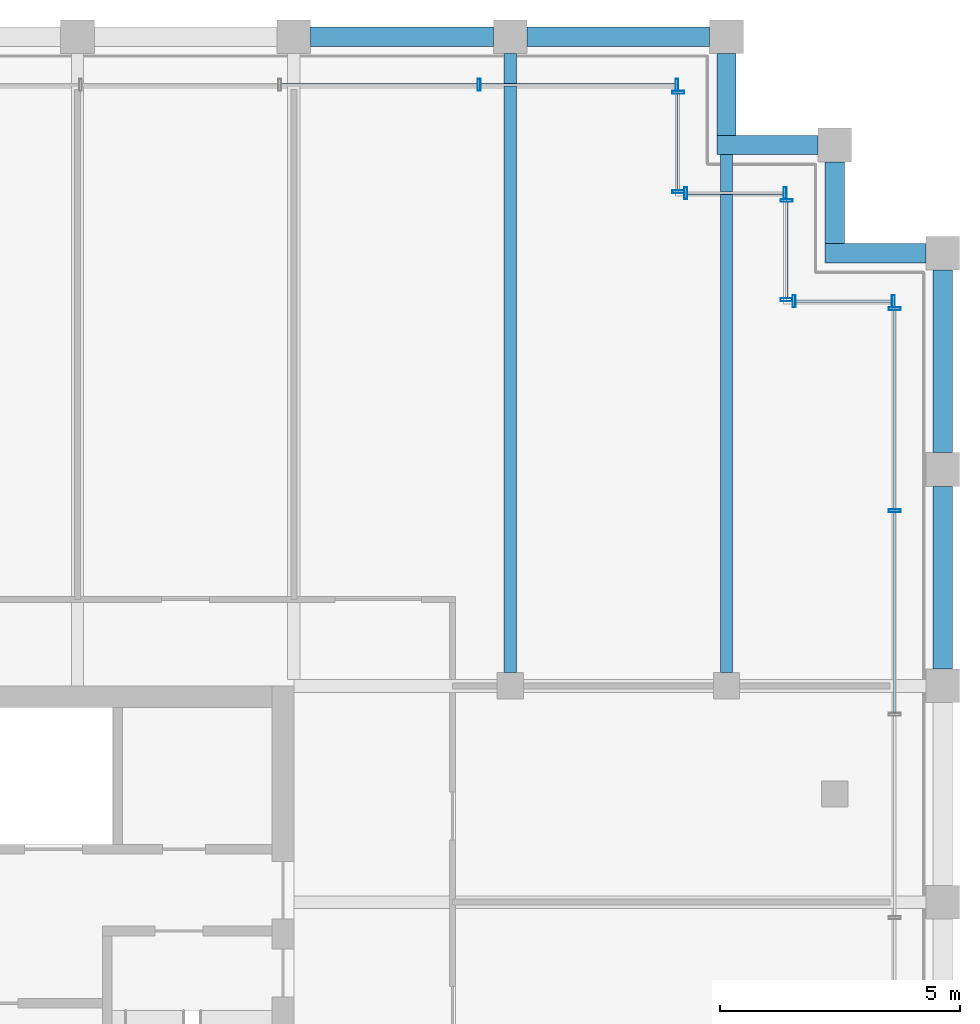
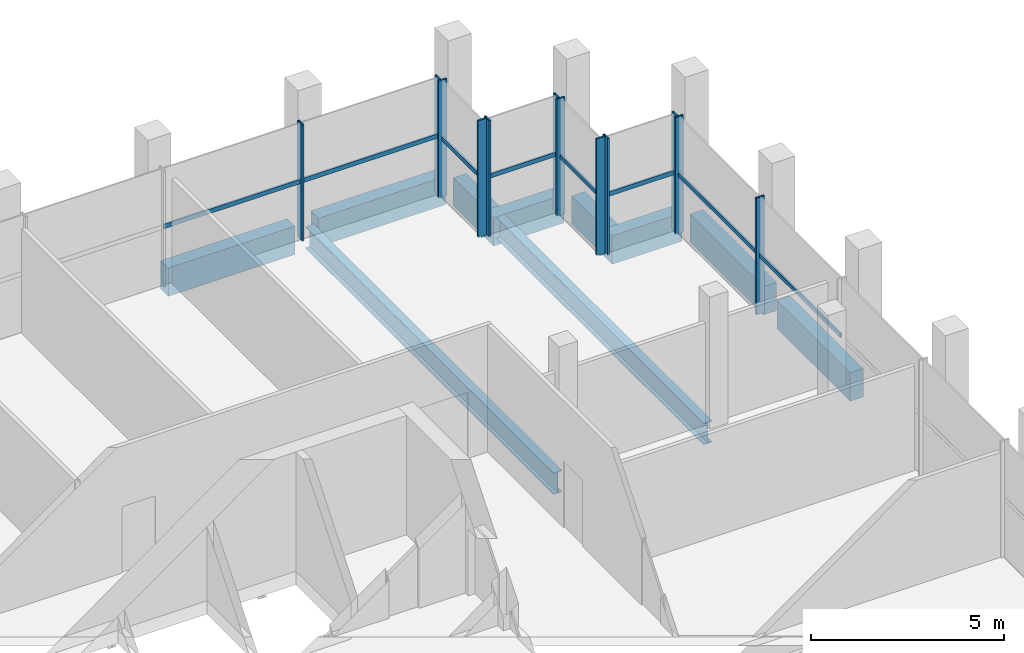
# One storey, part 12 of 17: 20 members, 10 beams, 6 elements without a shape of their own.
"""IFC4 building model written with IfcOpenShell, lengths in metres."""

import ifcopenshell
import ifcopenshell.guid

model = None  # the IFC model being written
_history = None  # IfcOwnerHistory: only IFC2X3 demands one
_inside = {}  # id of a spatial element -> (the spatial element, [elements in it])
_under = {}  # id of a project, library or spatial element -> (it, [spatial elements below it])
_declared = {}  # id of a project -> (the project, [libraries it declares])
_typed = {}  # id of a type object -> (the type object, [elements of that type])
_made_of = {}  # id of a material, layer set ... -> (it, [elements and type objects made of it])


def new_model(schema):
    """Start an empty IFC model of exactly this schema.

    Asked for "IFC4X3", IfcOpenShell would pick the latest addendum, in which some entities
    have other attributes; the version numbers below select the first issue.
    IFC2X3 requires an IfcOwnerHistory on every rooted entity: one is made here for all.
    """
    global model, _history
    if schema == "IFC4X3":
        model = ifcopenshell.file(schema_version=(4, 3, 0, 0))
    else:
        model = ifcopenshell.file(schema=schema)
    _inside.clear()
    _under.clear()
    _declared.clear()
    _typed.clear()
    _made_of.clear()
    _history = None
    if model.schema == "IFC2X3":
        org = make("IfcOrganization", Name="unknown")
        user = make(
            "IfcPersonAndOrganization",
            ThePerson=make("IfcPerson", FamilyName="unknown"),
            TheOrganization=org,
        )
        app = make(
            "IfcApplication",
            ApplicationDeveloper=org,
            Version="unknown",
            ApplicationFullName="unknown",
            ApplicationIdentifier="unknown",
        )
        _history = make(
            "IfcOwnerHistory",
            OwningUser=user,
            OwningApplication=app,
            ChangeAction="ADDED",
            CreationDate=0,
        )
    return model


def make(cls, **values):
    """One entity of the class cls with the attributes given. An attribute that is None is left unset."""
    return model.create_entity(
        cls, **{name: value for name, value in values.items() if value is not None}
    )


def rooted(cls, **values):
    """An entity with a GlobalId (a new one), such as an element, a storey or a relation."""
    return make(cls, GlobalId=ifcopenshell.guid.new(), OwnerHistory=_history, **values)


def si_unit(unit_type, name, prefix=None):
    """IfcSIUnit, for example si_unit("LENGTHUNIT", "METRE", prefix="MILLI")."""
    return make("IfcSIUnit", UnitType=unit_type, Prefix=prefix, Name=name)


def assignment(units):
    """IfcUnitAssignment: the units of a project."""
    return None if units is None else make("IfcUnitAssignment", Units=units)


def point(xyz):
    """IfcCartesianPoint."""
    return None if xyz is None else make("IfcCartesianPoint", Coordinates=xyz)


def direction(xyz):
    """IfcDirection."""
    return None if xyz is None else make("IfcDirection", DirectionRatios=xyz)


def frame(location, z_axis=None, x_axis=None):
    """IfcAxis2Placement3D, a coordinate frame: its origin and axes. An axis left out is left unset."""
    return make(
        "IfcAxis2Placement3D",
        Location=point(location),
        Axis=direction(z_axis),
        RefDirection=direction(x_axis),
    )


def frame_2d(location, x_axis=None):
    """IfcAxis2Placement2D, a coordinate frame in the plane: its origin and x axis."""
    return make(
        "IfcAxis2Placement2D", Location=point(location), RefDirection=direction(x_axis)
    )


def origin():
    """The frame at (0, 0, 0) with its axes left unset."""
    return frame((0.0, 0.0, 0.0))


def origin_2d():
    """The frame at (0, 0) in the plane with its x axis left unset."""
    return frame_2d((0.0, 0.0))


def place(relative_to, where):
    """IfcLocalPlacement: puts the frame where relative to a parent placement (None: the world)."""
    return make(
        "IfcLocalPlacement", PlacementRelTo=relative_to, RelativePlacement=where
    )


def context(
    kind, dimensions, precision=None, world=None, true_north=None, identifier=None
):
    """IfcGeometricRepresentationContext, for example the 3D "Model" context."""
    return make(
        "IfcGeometricRepresentationContext",
        ContextIdentifier=identifier,
        ContextType=kind,
        CoordinateSpaceDimension=dimensions,
        Precision=precision,
        WorldCoordinateSystem=world,
        TrueNorth=true_north,
    )


def subcontext(parent, identifier, kind, view, scale=None):
    """IfcGeometricRepresentationSubContext, for example "Body" below "Model"."""
    return make(
        "IfcGeometricRepresentationSubContext",
        ContextIdentifier=identifier,
        ContextType=kind,
        ParentContext=parent,
        TargetScale=scale,
        TargetView=view,
    )


def project(units=None, contexts=None):
    """IfcProject with its units and contexts."""
    return rooted(
        "IfcProject",
        Name="project",
        RepresentationContexts=contexts,
        UnitsInContext=assignment(units),
    )


def spatial(cls, under=None, at=None, **own):
    """A site, building, storey or space (cls), placed at a placement, below another one or the project."""
    s = rooted(cls, ObjectPlacement=at, **own)
    if under is not None:
        _under.setdefault(under.id(), (under, []))[1].append(s)
    return s


def profile(cls, at=None, kind="AREA", **sizes):
    """A parametric profile (cls). Its sizes go by their IFC names, for example OverallWidth=200.0."""
    return make(cls, ProfileType=kind, Position=at, **sizes)


def rectangle(**sizes):
    """IfcRectangleProfileDef."""
    return profile("IfcRectangleProfileDef", **sizes)


def hollow_rectangle(**sizes):
    """IfcRectangleHollowProfileDef."""
    return profile("IfcRectangleHollowProfileDef", **sizes)


def i_section(**sizes):
    """IfcIShapeProfileDef."""
    return profile("IfcIShapeProfileDef", **sizes)


def extrude(swept, where, along, depth):
    """IfcExtrudedAreaSolid: the profile swept, set in the frame where, extruded along a direction by depth."""
    return make(
        "IfcExtrudedAreaSolid",
        SweptArea=swept,
        Position=where,
        ExtrudedDirection=direction(along),
        Depth=depth,
    )


def shape(context_of_items, identifier, shape_type, items):
    """IfcShapeRepresentation: the items that make up one representation, for example the "Body"."""
    return make(
        "IfcShapeRepresentation",
        ContextOfItems=context_of_items,
        RepresentationIdentifier=identifier,
        RepresentationType=shape_type,
        Items=items,
    )


def material(Name=None, Category=None):
    """IfcMaterial."""
    return make("IfcMaterial", Name=Name, Category=Category)


def material_profile(
    of_material, cross_section, Name=None, Category=None, Priority=None
):
    """IfcMaterialProfile: a cross section and its material."""
    return make(
        "IfcMaterialProfile",
        Name=Name,
        Material=of_material,
        Profile=cross_section,
        Priority=Priority,
        Category=Category,
    )


def profile_set(profiles, Name=None, composite=None):
    """IfcMaterialProfileSet."""
    return make(
        "IfcMaterialProfileSet",
        Name=Name,
        MaterialProfiles=profiles,
        CompositeProfile=composite,
    )


def made_of(thing, what):
    """Note that an element or type object is made of a material, layer set ...; save() writes the relation."""
    if what is not None:
        _made_of.setdefault(what.id(), (what, []))[1].append(thing)
    return thing


def type_object(cls, material=None, **own):
    """A type object (cls), such as IfcWallType, which elements share."""
    return made_of(rooted(cls, **own), material)


def element(
    cls,
    number,
    at=None,
    inside=None,
    cuts=None,
    type_object=None,
    material=None,
    context=None,
    identifier="Body",
    shape_type=None,
    held_by="IfcProductDefinitionShape",
    body=None,
    shapes=None,
    **own,
):
    """One element of the class cls, such as IfcWall. Its Tag is "e" and its number.

    at: its placement. inside: the storey or other place that contains it. cuts: it is an
    opening in that element (IfcRelVoidsElement). A single representation is given by context,
    identifier, shape_type and body (its items); several are given by shapes. held_by: the class
    of the entity that holds the representations. save() writes the other relations.
    """
    e = rooted(cls, Tag="e%d" % number, ObjectPlacement=at, **own)
    if body is not None:
        shapes = [shape(context, identifier, shape_type, body)]
    if shapes is not None:
        e.Representation = make(held_by, Representations=shapes)
    if inside is not None:
        _inside.setdefault(inside.id(), (inside, []))[1].append(e)
    if cuts is not None:
        rooted(
            "IfcRelVoidsElement", RelatingBuildingElement=cuts, RelatedOpeningElement=e
        )
    if type_object is not None:
        _typed.setdefault(type_object.id(), (type_object, []))[1].append(e)
    return made_of(e, material)


def aggregate(whole, parts):
    """IfcRelAggregates: a whole, such as a stair, and the parts it consists of."""
    return rooted("IfcRelAggregates", RelatingObject=whole, RelatedObjects=parts)


def save(model, path):
    """Write the relations noted so far, then the file.

    IfcRelAggregates (storeys below a building ...), IfcRelContainedInSpatialStructure (elements
    in a storey), IfcRelDefinesByType, IfcRelAssociatesMaterial and IfcRelDeclares: one each for
    every whole, place, type object, material and project.
    """
    for whole, parts in _under.values():
        aggregate(whole, parts)
    for where, things in _inside.values():
        rooted(
            "IfcRelContainedInSpatialStructure",
            RelatedElements=things,
            RelatingStructure=where,
        )
    for kind, things in _typed.values():
        rooted("IfcRelDefinesByType", RelatedObjects=things, RelatingType=kind)
    for what, things in _made_of.values():
        rooted("IfcRelAssociatesMaterial", RelatedObjects=things, RelatingMaterial=what)
    for by, libraries in _declared.values():
        rooted("IfcRelDeclares", RelatingContext=by, RelatedDefinitions=libraries)
    model.write(path)


model = new_model("IFC4")

# Units and contexts
model_context = context("Model", 3, precision=1e-05, world=origin(), true_north=direction((0.0, 1.0)))
body_context = subcontext(model_context, "Body", "Model", "MODEL_VIEW")
ifc_project = project(units=[si_unit("LENGTHUNIT", "METRE"), si_unit("AREAUNIT", "SQUARE_METRE"), si_unit("VOLUMEUNIT", "CUBIC_METRE"), si_unit("PLANEANGLEUNIT", "RADIAN"), si_unit("MASSUNIT", "GRAM", prefix="KILO")], contexts=[model_context])

# Site, building, storey
site_placement = place(None, origin())
site = spatial("IfcSite", under=ifc_project, at=site_placement, CompositionType="ELEMENT")
building_placement = place(site_placement, origin())
building = spatial("IfcBuilding", under=site, at=building_placement, Name="Altepetl Exchange Towers", CompositionType="ELEMENT")
storey_placement = place(building_placement, frame((0.0, 0.0, 255.199951171875)))
storey = spatial("IfcBuildingStorey", under=building, at=storey_placement, Name="L65", CompositionType="ELEMENT", Elevation=255.199951171875)

# Beams
ifc_material_1 = material(Name="Steel S355", Category="steel")
ifc_material_profile_1 = material_profile(ifc_material_1, i_section(OverallWidth=0.25390625, OverallDepth=0.68408203125, WebThickness=0.012451171875, FlangeThickness=0.018798828125, at=origin_2d()), Name="W27X94")
ifc_profile_set_1 = profile_set([ifc_material_profile_1], Name="Steel S355")
beam_type_1 = type_object("IfcBeamType", Name="Floor beam W27X94", PredefinedType="BEAM", material=ifc_profile_set_1)
beam_1_placement = place(storey_placement, frame((63.0, 58.77490234375, -0.516845703125), z_axis=(0.0, 1.0, 0.0), x_axis=(-1.0, 0.0, 0.0)))
element("IfcBeam", 1, at=beam_1_placement, inside=storey, type_object=beam_type_1, Name="bm:A:L65:004", PredefinedType="BEAM", context=body_context, shape_type="SweptSolid", body=[
    extrude(i_section(OverallWidth=0.25390625, OverallDepth=0.68408203125, WebThickness=0.012451171875, FlangeThickness=0.018798828125, at=origin_2d()), origin(), (0.0, 0.0, 1.0), 12.875),
])
beam_2_placement = place(storey_placement, frame((67.5, 58.77490234375, -0.516845703125), z_axis=(0.0, 1.0, 0.0), x_axis=(-1.0, 0.0, 0.0)))
element("IfcBeam", 2, at=beam_2_placement, inside=storey, type_object=beam_type_1, Name="bm:A:L65:005", PredefinedType="BEAM", context=body_context, shape_type="SweptSolid", body=[
    extrude(i_section(OverallWidth=0.25390625, OverallDepth=0.68408203125, WebThickness=0.012451171875, FlangeThickness=0.018798828125, at=origin_2d()), origin(), (0.0, 0.0, 1.0), 10.775146484375),
])

# Curtain wall, members
ifc_material_2 = material(Name="Aluminium 6063-T6 glazing", Category="aluminium")
curtain_wall_type = type_object("IfcCurtainWallType", Name="Executive flush glazing system", PredefinedType="NOTDEFINED", material=ifc_material_2)
curtain_wall_1_placement = place(storey_placement, origin())
curtain_wall_1 = element("IfcCurtainWall", 3, at=curtain_wall_1_placement, inside=storey, type_object=curtain_wall_type, Name="CW4 run", PredefinedType="NOTDEFINED")
ifc_material_3 = material(Name="Aluminium 6063-T6", Category="aluminium")
ifc_material_profile_2 = material_profile(ifc_material_3, hollow_rectangle(XDim=0.06005859375, YDim=0.25, WallThickness=0.0029296875, at=origin_2d()), Name="Mullion 60x250 hollow aluminium")
ifc_profile_set_2 = profile_set([ifc_material_profile_2], Name="Aluminium 6063-T6")
member_type_1 = type_object("IfcMemberType", Name="Mullion 60x250 hollow aluminium", PredefinedType="MULLION", material=ifc_profile_set_2)
member_1_placement = place(storey_placement, frame((71.0, 62.140625, 0.0), z_axis=(0.0, 0.0, 1.0), x_axis=(0.0, 1.0, 0.0)))
member_1 = element("IfcMember", 4, at=member_1_placement, type_object=member_type_1, Name="MU3 mullion", PredefinedType="MULLION", context=body_context, shape_type="SweptSolid", body=[
    extrude(hollow_rectangle(XDim=0.06005859375, YDim=0.25, WallThickness=0.0029296875, at=origin_2d()), origin(), (0.0, 0.0, 1.0), 3.699951171875),
])
member_2_placement = place(storey_placement, frame((71.0, 66.344970703125, 0.0), z_axis=(0.0, 0.0, 1.0), x_axis=(0.0, 1.0, 0.0)))
member_2 = element("IfcMember", 5, at=member_2_placement, type_object=member_type_1, Name="MU3 mullion", PredefinedType="MULLION", context=body_context, shape_type="SweptSolid", body=[
    extrude(hollow_rectangle(XDim=0.06005859375, YDim=0.25, WallThickness=0.0029296875, at=origin_2d()), origin(), (0.0, 0.0, 1.0), 3.699951171875),
])

curtain_wall_2_placement = place(storey_placement, origin())
curtain_wall_2 = element("IfcCurtainWall", 6, at=curtain_wall_2_placement, inside=storey, type_object=curtain_wall_type, Name="CW4 run", PredefinedType="NOTDEFINED")
member_3_placement = place(storey_placement, frame((70.969970703125, 66.5, 0.0), z_axis=(0.0, 0.0, 1.0), x_axis=(-1.0, 0.0, 0.0)))
member_3 = element("IfcMember", 7, at=member_3_placement, type_object=member_type_1, Name="MU3 mullion", PredefinedType="MULLION", context=body_context, shape_type="SweptSolid", body=[
    extrude(hollow_rectangle(XDim=0.06005859375, YDim=0.25, WallThickness=0.0029296875, at=origin_2d()), origin(), (0.0, 0.0, 1.0), 3.699951171875),
])
member_4_placement = place(storey_placement, frame((68.905029296875, 66.5, 0.0), z_axis=(0.0, 0.0, 1.0), x_axis=(-1.0, 0.0, 0.0)))
member_4 = element("IfcMember", 8, at=member_4_placement, type_object=member_type_1, Name="MU3 mullion", PredefinedType="MULLION", context=body_context, shape_type="SweptSolid", body=[
    extrude(hollow_rectangle(XDim=0.06005859375, YDim=0.25, WallThickness=0.0029296875, at=origin_2d()), origin(), (0.0, 0.0, 1.0), 3.699951171875),
])

curtain_wall_3_placement = place(storey_placement, origin())
curtain_wall_3 = element("IfcCurtainWall", 9, at=curtain_wall_3_placement, inside=storey, type_object=curtain_wall_type, Name="CW4 run", PredefinedType="NOTDEFINED")
member_5_placement = place(storey_placement, frame((68.75, 66.530029296875, 0.0), z_axis=(0.0, 0.0, 1.0), x_axis=(0.0, 1.0, 0.0)))
member_5 = element("IfcMember", 10, at=member_5_placement, type_object=member_type_1, Name="MU3 mullion", PredefinedType="MULLION", context=body_context, shape_type="SweptSolid", body=[
    extrude(hollow_rectangle(XDim=0.06005859375, YDim=0.25, WallThickness=0.0029296875, at=origin_2d()), origin(), (0.0, 0.0, 1.0), 3.699951171875),
])
member_6_placement = place(storey_placement, frame((68.75, 68.594970703125, 0.0), z_axis=(0.0, 0.0, 1.0), x_axis=(0.0, 1.0, 0.0)))
member_6 = element("IfcMember", 11, at=member_6_placement, type_object=member_type_1, Name="MU3 mullion", PredefinedType="MULLION", context=body_context, shape_type="SweptSolid", body=[
    extrude(hollow_rectangle(XDim=0.06005859375, YDim=0.25, WallThickness=0.0029296875, at=origin_2d()), origin(), (0.0, 0.0, 1.0), 3.699951171875),
])

curtain_wall_4_placement = place(storey_placement, origin())
curtain_wall_4 = element("IfcCurtainWall", 12, at=curtain_wall_4_placement, inside=storey, type_object=curtain_wall_type, Name="CW4 run", PredefinedType="NOTDEFINED")
member_7_placement = place(storey_placement, frame((68.719970703125, 68.75, 0.0), z_axis=(0.0, 0.0, 1.0), x_axis=(-1.0, 0.0, 0.0)))
member_7 = element("IfcMember", 13, at=member_7_placement, type_object=member_type_1, Name="MU3 mullion", PredefinedType="MULLION", context=body_context, shape_type="SweptSolid", body=[
    extrude(hollow_rectangle(XDim=0.06005859375, YDim=0.25, WallThickness=0.0029296875, at=origin_2d()), origin(), (0.0, 0.0, 1.0), 3.699951171875),
])
member_8_placement = place(storey_placement, frame((66.655029296875, 68.75, 0.0), z_axis=(0.0, 0.0, 1.0), x_axis=(-1.0, 0.0, 0.0)))
member_8 = element("IfcMember", 14, at=member_8_placement, type_object=member_type_1, Name="MU3 mullion", PredefinedType="MULLION", context=body_context, shape_type="SweptSolid", body=[
    extrude(hollow_rectangle(XDim=0.06005859375, YDim=0.25, WallThickness=0.0029296875, at=origin_2d()), origin(), (0.0, 0.0, 1.0), 3.699951171875),
])

curtain_wall_5_placement = place(storey_placement, origin())
curtain_wall_5 = element("IfcCurtainWall", 15, at=curtain_wall_5_placement, inside=storey, type_object=curtain_wall_type, Name="CW4 run", PredefinedType="NOTDEFINED")
member_9_placement = place(storey_placement, frame((66.5, 68.780029296875, 0.0), z_axis=(0.0, 0.0, 1.0), x_axis=(0.0, 1.0, 0.0)))
member_9 = element("IfcMember", 16, at=member_9_placement, type_object=member_type_1, Name="MU3 mullion", PredefinedType="MULLION", context=body_context, shape_type="SweptSolid", body=[
    extrude(hollow_rectangle(XDim=0.06005859375, YDim=0.25, WallThickness=0.0029296875, at=origin_2d()), origin(), (0.0, 0.0, 1.0), 3.699951171875),
])
member_10_placement = place(storey_placement, frame((66.5, 70.844970703125, 0.0), z_axis=(0.0, 0.0, 1.0), x_axis=(0.0, 1.0, 0.0)))
member_10 = element("IfcMember", 17, at=member_10_placement, type_object=member_type_1, Name="MU3 mullion", PredefinedType="MULLION", context=body_context, shape_type="SweptSolid", body=[
    extrude(hollow_rectangle(XDim=0.06005859375, YDim=0.25, WallThickness=0.0029296875, at=origin_2d()), origin(), (0.0, 0.0, 1.0), 3.699951171875),
])

curtain_wall_6_placement = place(storey_placement, origin())
curtain_wall_6 = element("IfcCurtainWall", 18, at=curtain_wall_6_placement, inside=storey, type_object=curtain_wall_type, Name="CW4 run", PredefinedType="NOTDEFINED")
member_11_placement = place(storey_placement, frame((66.469970703125, 71.0, 0.0), z_axis=(0.0, 0.0, 1.0), x_axis=(-1.0, 0.0, 0.0)))
member_11 = element("IfcMember", 19, at=member_11_placement, type_object=member_type_1, Name="MU3 mullion", PredefinedType="MULLION", context=body_context, shape_type="SweptSolid", body=[
    extrude(hollow_rectangle(XDim=0.06005859375, YDim=0.25, WallThickness=0.0029296875, at=origin_2d()), origin(), (0.0, 0.0, 1.0), 3.699951171875),
])
member_12_placement = place(storey_placement, frame((62.354248046875, 71.0, 0.0), z_axis=(0.0, 0.0, 1.0), x_axis=(-1.0, 0.0, 0.0)))
member_12 = element("IfcMember", 20, at=member_12_placement, type_object=member_type_1, Name="MU3 mullion", PredefinedType="MULLION", context=body_context, shape_type="SweptSolid", body=[
    extrude(hollow_rectangle(XDim=0.06005859375, YDim=0.25, WallThickness=0.0029296875, at=origin_2d()), origin(), (0.0, 0.0, 1.0), 3.699951171875),
])

# Beams
ifc_material_4 = material(Name="Concrete C50/60 precast with cantera rosa facing", Category="concrete")
ifc_material_profile_3 = material_profile(ifc_material_4, rectangle(XDim=0.39990234375, YDim=0.89990234375, at=origin_2d()), Name="400 x 900")
ifc_profile_set_3 = profile_set([ifc_material_profile_3], Name="Concrete C50/60 precast with cantera rosa facing")
beam_type_2 = type_object("IfcBeamType", Name="Spandrel beam 400x900 cantera rosa", PredefinedType="SPANDREL", material=ifc_profile_set_3)
for number, where, z_axis, x_axis, name in (
    (21, (72.0, 58.85009765625, -0.625), (0.0, 1.0, 0.0), (-1.0, 0.0, 0.0), "sp:A:L65:018"),
    (22, (72.0, 63.35009765625, -0.625), (0.0, 1.0, 0.0), (-1.0, 0.0, 0.0), "sp:A:L65:019"),
):
    element("IfcBeam", number, at=place(storey_placement, frame(where, z_axis=z_axis, x_axis=x_axis)), inside=storey, type_object=beam_type_2, Name=name, PredefinedType="SPANDREL", context=body_context, shape_type="SweptSolid", body=[
        extrude(rectangle(XDim=0.39990234375, YDim=0.89990234375, at=origin_2d()), origin(), (0.0, 0.0, 1.0), 3.7998046875),
    ])
beam_3_placement = place(storey_placement, frame((71.64990234375, 67.5, -0.625), z_axis=(-1.0, 0.0, 0.0), x_axis=(0.0, -1.0, 0.0)))
element("IfcBeam", 23, at=beam_3_placement, inside=storey, type_object=beam_type_2, Name="sp:A:L65:020", PredefinedType="SPANDREL", context=body_context, shape_type="SweptSolid", body=[
    extrude(rectangle(XDim=0.39990234375, YDim=0.89990234375, at=origin_2d()), origin(), (0.0, 0.0, 1.0), 2.099853515625),
])
beam_4_placement = place(storey_placement, frame((69.75, 67.699951171875, -0.625), z_axis=(0.0, 1.0, 0.0), x_axis=(-1.0, 0.0, 0.0)))
element("IfcBeam", 24, at=beam_4_placement, inside=storey, type_object=beam_type_2, Name="sp:A:L65:021", PredefinedType="SPANDREL", context=body_context, shape_type="SweptSolid", body=[
    extrude(rectangle(XDim=0.39990234375, YDim=0.89990234375, at=origin_2d()), origin(), (0.0, 0.0, 1.0), 1.699951171875),
])
beam_5_placement = place(storey_placement, frame((69.39990234375, 69.75, -0.625), z_axis=(-1.0, 0.0, 0.0), x_axis=(0.0, -1.0, 0.0)))
element("IfcBeam", 25, at=beam_5_placement, inside=storey, type_object=beam_type_2, Name="sp:A:L65:022", PredefinedType="SPANDREL", context=body_context, shape_type="SweptSolid", body=[
    extrude(rectangle(XDim=0.39990234375, YDim=0.89990234375, at=origin_2d()), origin(), (0.0, 0.0, 1.0), 2.099853515625),
])
beam_6_placement = place(storey_placement, frame((67.5, 69.949951171875, -0.625), z_axis=(0.0, 1.0, 0.0), x_axis=(-1.0, 0.0, 0.0)))
element("IfcBeam", 26, at=beam_6_placement, inside=storey, type_object=beam_type_2, Name="sp:A:L65:023", PredefinedType="SPANDREL", context=body_context, shape_type="SweptSolid", body=[
    extrude(rectangle(XDim=0.39990234375, YDim=0.89990234375, at=origin_2d()), origin(), (0.0, 0.0, 1.0), 1.699951171875),
])
for number, where, z_axis, x_axis, name in (
    (27, (67.14990234375, 72.0, -0.625), (-1.0, 0.0, 0.0), (0.0, -1.0, 0.0), "sp:A:L65:024"),
    (28, (62.64990234375, 72.0, -0.625), (-1.0, 0.0, 0.0), (0.0, -1.0, 0.0), "sp:A:L65:025"),
):
    element("IfcBeam", number, at=place(storey_placement, frame(where, z_axis=z_axis, x_axis=x_axis)), inside=storey, type_object=beam_type_2, Name=name, PredefinedType="SPANDREL", context=body_context, shape_type="SweptSolid", body=[
        extrude(rectangle(XDim=0.39990234375, YDim=0.89990234375, at=origin_2d()), origin(), (0.0, 0.0, 1.0), 3.7998046875),
    ])

# Member
ifc_material_profile_4 = material_profile(ifc_material_3, hollow_rectangle(XDim=0.050048828125, YDim=0.139892578125, WallThickness=0.0029296875, at=origin_2d()), Name="Transom 50x140 hollow aluminium")
ifc_profile_set_4 = profile_set([ifc_material_profile_4], Name="Aluminium 6063-T6")
member_type_2 = type_object("IfcMemberType", Name="Transom 50x140 hollow aluminium", PredefinedType="USERDEFINED", material=ifc_profile_set_4)
member_13_placement = place(storey_placement, frame((71.0, 57.936279296875, 1.85009765625), z_axis=(0.0, 1.0, 0.0), x_axis=(-1.0, 0.0, 0.0)))
member_13 = element("IfcMember", 29, at=member_13_placement, type_object=member_type_2, Name="TR2 transom", ObjectType="TRANSOM", PredefinedType="USERDEFINED", context=body_context, shape_type="SweptSolid", body=[
    extrude(hollow_rectangle(XDim=0.050048828125, YDim=0.139892578125, WallThickness=0.0029296875, at=origin_2d()), origin(), (0.0, 0.0, 1.0), 4.17431640625),
])

member_14_placement = place(storey_placement, frame((71.0, 62.170654296875, 1.85009765625), z_axis=(0.0, 1.0, 0.0), x_axis=(-1.0, 0.0, 0.0)))
member_14 = element("IfcMember", 30, at=member_14_placement, type_object=member_type_2, Name="TR2 transom", ObjectType="TRANSOM", PredefinedType="USERDEFINED", context=body_context, shape_type="SweptSolid", body=[
    extrude(hollow_rectangle(XDim=0.050048828125, YDim=0.139892578125, WallThickness=0.0029296875, at=origin_2d()), origin(), (0.0, 0.0, 1.0), 4.144287109375),
])

aggregate(curtain_wall_1, [member_1, member_2, member_13, member_14])

member_15_placement = place(storey_placement, frame((70.93994140625, 66.5, 1.85009765625), z_axis=(-1.0, 0.0, 0.0), x_axis=(0.0, -1.0, 0.0)))
member_15 = element("IfcMember", 31, at=member_15_placement, type_object=member_type_2, Name="TR2 transom", ObjectType="TRANSOM", PredefinedType="USERDEFINED", context=body_context, shape_type="SweptSolid", body=[
    extrude(hollow_rectangle(XDim=0.050048828125, YDim=0.139892578125, WallThickness=0.0029296875, at=origin_2d()), origin(), (0.0, 0.0, 1.0), 2.0048828125),
])

aggregate(curtain_wall_2, [member_3, member_4, member_15])

member_16_placement = place(storey_placement, frame((68.75, 66.56005859375, 1.85009765625), z_axis=(0.0, 1.0, 0.0), x_axis=(-1.0, 0.0, 0.0)))
member_16 = element("IfcMember", 32, at=member_16_placement, type_object=member_type_2, Name="TR2 transom", ObjectType="TRANSOM", PredefinedType="USERDEFINED", context=body_context, shape_type="SweptSolid", body=[
    extrude(hollow_rectangle(XDim=0.050048828125, YDim=0.139892578125, WallThickness=0.0029296875, at=origin_2d()), origin(), (0.0, 0.0, 1.0), 2.0048828125),
])

aggregate(curtain_wall_3, [member_5, member_6, member_16])

member_17_placement = place(storey_placement, frame((68.68994140625, 68.75, 1.85009765625), z_axis=(-1.0, 0.0, 0.0), x_axis=(0.0, -1.0, 0.0)))
member_17 = element("IfcMember", 33, at=member_17_placement, type_object=member_type_2, Name="TR2 transom", ObjectType="TRANSOM", PredefinedType="USERDEFINED", context=body_context, shape_type="SweptSolid", body=[
    extrude(hollow_rectangle(XDim=0.050048828125, YDim=0.139892578125, WallThickness=0.0029296875, at=origin_2d()), origin(), (0.0, 0.0, 1.0), 2.0048828125),
])

aggregate(curtain_wall_4, [member_7, member_8, member_17])

member_18_placement = place(storey_placement, frame((66.5, 68.81005859375, 1.85009765625), z_axis=(0.0, 1.0, 0.0), x_axis=(-1.0, 0.0, 0.0)))
member_18 = element("IfcMember", 34, at=member_18_placement, type_object=member_type_2, Name="TR2 transom", ObjectType="TRANSOM", PredefinedType="USERDEFINED", context=body_context, shape_type="SweptSolid", body=[
    extrude(hollow_rectangle(XDim=0.050048828125, YDim=0.139892578125, WallThickness=0.0029296875, at=origin_2d()), origin(), (0.0, 0.0, 1.0), 2.0048828125),
])

aggregate(curtain_wall_5, [member_9, member_10, member_18])

member_19_placement = place(storey_placement, frame((66.43994140625, 71.0, 1.85009765625), z_axis=(-1.0, 0.0, 0.0), x_axis=(0.0, -1.0, 0.0)))
member_19 = element("IfcMember", 35, at=member_19_placement, type_object=member_type_2, Name="TR2 transom", ObjectType="TRANSOM", PredefinedType="USERDEFINED", context=body_context, shape_type="SweptSolid", body=[
    extrude(hollow_rectangle(XDim=0.050048828125, YDim=0.139892578125, WallThickness=0.0029296875, at=origin_2d()), origin(), (0.0, 0.0, 1.0), 4.0556640625),
])

member_20_placement = place(storey_placement, frame((62.32421875, 71.0, 1.85009765625), z_axis=(-1.0, 0.0, 0.0), x_axis=(0.0, -1.0, 0.0)))
member_20 = element("IfcMember", 36, at=member_20_placement, type_object=member_type_2, Name="TR2 transom", ObjectType="TRANSOM", PredefinedType="USERDEFINED", context=body_context, shape_type="SweptSolid", body=[
    extrude(hollow_rectangle(XDim=0.050048828125, YDim=0.139892578125, WallThickness=0.0029296875, at=origin_2d()), origin(), (0.0, 0.0, 1.0), 4.0859375),
])

aggregate(curtain_wall_6, [member_11, member_12, member_19, member_20])

save(model, "model.ifc")
